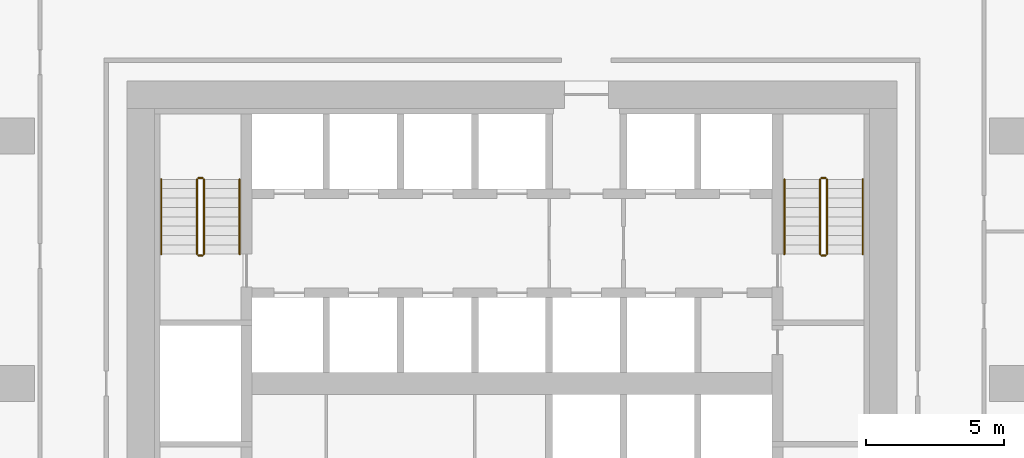
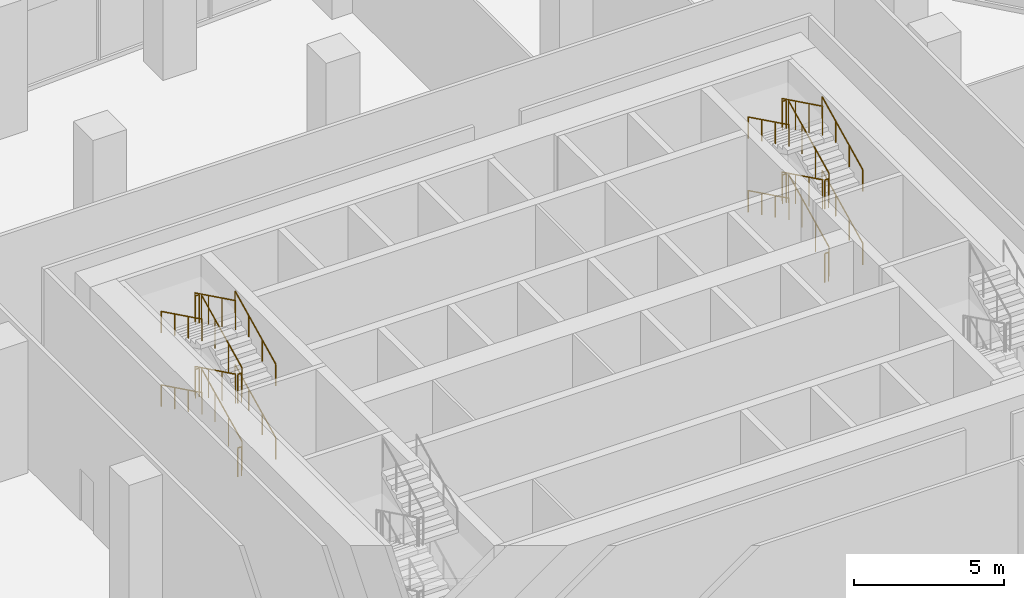
# One storey, part 17 of 18: 24 railings.
"""IFC4 building model written with IfcOpenShell, lengths in metres."""

from ifc_helpers import new_model, si_unit, direction, frame, origin, origin_2d, place, context, subcontext, project, spatial, circle, extrude, material, type_object, element, save


model = new_model("IFC4")

# Units and contexts
model_context = context("Model", 3, precision=1e-05, world=origin(), true_north=direction((0.0, 1.0)))
body_context = subcontext(model_context, "Body", "Model", "MODEL_VIEW")
ifc_project = project(units=[si_unit("LENGTHUNIT", "METRE"), si_unit("AREAUNIT", "SQUARE_METRE"), si_unit("VOLUMEUNIT", "CUBIC_METRE"), si_unit("PLANEANGLEUNIT", "RADIAN"), si_unit("MASSUNIT", "GRAM", prefix="KILO")], contexts=[model_context])

# Site, building, storey
site_placement = place(None, origin())
site = spatial("IfcSite", under=ifc_project, at=site_placement, CompositionType="ELEMENT")
building_placement = place(site_placement, origin())
building = spatial("IfcBuilding", under=site, at=building_placement, Name="Dongbaek Canopy Tower", CompositionType="ELEMENT")
storey_placement = place(building_placement, frame((0.0, 0.0, 139.60009765625)))
storey = spatial("IfcBuildingStorey", under=building, at=storey_placement, Name="L31", CompositionType="ELEMENT", Elevation=139.60009765625)

# Railings
ifc_material_1 = material(Name="Stainless steel tube and balusters", Category="steel")
railing_type_1 = type_object("IfcRailingType", Name="Stair guard 1200", PredefinedType="GUARDRAIL", material=ifc_material_1)
railing_1_placement = place(storey_placement, frame((11.449951171875, 4.699951171875, 0.16650390625)))
element("IfcRailing", 1, at=railing_1_placement, inside=storey, type_object=railing_type_1, Name="L31 ST-A stair guard 1", PredefinedType="GUARDRAIL", context=body_context, shape_type="SweptSolid", body=[
    extrude(circle(Radius=0.02392578125, at=origin_2d()), frame((0.0, 0.0, 1.17578125), z_axis=(0.0, 0.89789761255, 0.440204358653), x_axis=(-1.0, 0.0, 0.0)), (0.0, 0.0, 1.0), 3.029296875),
    extrude(circle(Radius=0.02099609375, at=origin_2d()), origin(), (0.0, 0.0, 1.0), 1.15185546875),
    extrude(circle(Radius=0.02099609375, at=origin_2d()), frame((0.0, 0.90673828125, 0.444580078125)), (0.0, 0.0, 1.0), 1.15185546875),
    extrude(circle(Radius=0.02099609375, at=origin_2d()), frame((0.0, 1.813232421875, 0.888916015625)), (0.0, 0.0, 1.0), 1.15185546875),
    extrude(circle(Radius=0.02099609375, at=origin_2d()), frame((0.0, 2.719970703125, 1.33349609375)), (0.0, 0.0, 1.0), 1.15185546875),
])
railing_2_placement = place(storey_placement, frame((11.39990234375, 7.469970703125, 1.5)))
element("IfcRailing", 2, at=railing_2_placement, inside=storey, type_object=railing_type_1, Name="L31 ST-A stair guard 2", PredefinedType="GUARDRAIL", context=body_context, shape_type="SweptSolid", body=[
    extrude(circle(Radius=0.02392578125, at=origin_2d()), frame((0.0, 0.0, 1.17578125), z_axis=(-1.0, 0.0, 0.0), x_axis=(0.0, -1.0, 0.0)), (0.0, 0.0, 1.0), 0.14990234375),
    extrude(circle(Radius=0.02099609375, at=origin_2d()), origin(), (0.0, 0.0, 1.0), 1.15185546875),
    extrude(circle(Radius=0.02099609375, at=origin_2d()), frame((-0.14990234375, 0.0, 0.0)), (0.0, 0.0, 1.0), 1.15185546875),
])
railing_3_placement = place(storey_placement, frame((11.199951171875, 7.419921875, 1.66650390625)))
element("IfcRailing", 3, at=railing_3_placement, inside=storey, type_object=railing_type_1, Name="L31 ST-A stair guard 3", PredefinedType="GUARDRAIL", context=body_context, shape_type="SweptSolid", body=[
    extrude(circle(Radius=0.02392578125, at=origin_2d()), frame((0.0, 0.0, 1.17578125), z_axis=(0.0, -0.89789761255, 0.440204358653), x_axis=(1.0, 0.0, 0.0)), (0.0, 0.0, 1.0), 3.029296875),
    extrude(circle(Radius=0.02099609375, at=origin_2d()), origin(), (0.0, 0.0, 1.0), 1.15185546875),
    extrude(circle(Radius=0.02099609375, at=origin_2d()), frame((0.0, -0.90673828125, 0.444580078125)), (0.0, 0.0, 1.0), 1.15185546875),
    extrude(circle(Radius=0.02099609375, at=origin_2d()), frame((0.0, -1.813232421875, 0.888916015625)), (0.0, 0.0, 1.0), 1.15185546875),
    extrude(circle(Radius=0.02099609375, at=origin_2d()), frame((0.0, -2.719970703125, 1.33349609375)), (0.0, 0.0, 1.0), 1.15185546875),
])
railing_4_placement = place(storey_placement, frame((11.39990234375, 4.64990234375, 3.0)))
element("IfcRailing", 4, at=railing_4_placement, inside=storey, type_object=railing_type_1, Name="L31 ST-A stair guard 4", PredefinedType="GUARDRAIL", context=body_context, shape_type="SweptSolid", body=[
    extrude(circle(Radius=0.02392578125, at=origin_2d()), frame((0.0, 0.0, 1.17578125), z_axis=(-1.0, 0.0, 0.0), x_axis=(0.0, -1.0, 0.0)), (0.0, 0.0, 1.0), 0.14990234375),
    extrude(circle(Radius=0.02099609375, at=origin_2d()), origin(), (0.0, 0.0, 1.0), 1.15185546875),
    extrude(circle(Radius=0.02099609375, at=origin_2d()), frame((-0.14990234375, 0.0, 0.0)), (0.0, 0.0, 1.0), 1.15185546875),
])
railing_5_placement = place(storey_placement, frame((11.449951171875, 4.699951171875, 3.16650390625)))
element("IfcRailing", 5, at=railing_5_placement, inside=storey, type_object=railing_type_1, Name="L31 ST-A stair guard 5", PredefinedType="GUARDRAIL", context=body_context, shape_type="SweptSolid", body=[
    extrude(circle(Radius=0.02392578125, at=origin_2d()), frame((0.0, 0.0, 1.17578125), z_axis=(0.0, 0.89789761255, 0.440204358653), x_axis=(-1.0, 0.0, 0.0)), (0.0, 0.0, 1.0), 3.029296875),
    extrude(circle(Radius=0.02099609375, at=origin_2d()), origin(), (0.0, 0.0, 1.0), 1.15185546875),
    extrude(circle(Radius=0.02099609375, at=origin_2d()), frame((0.0, 0.90673828125, 0.444580078125)), (0.0, 0.0, 1.0), 1.15185546875),
    extrude(circle(Radius=0.02099609375, at=origin_2d()), frame((0.0, 1.813232421875, 0.888916015625)), (0.0, 0.0, 1.0), 1.15185546875),
    extrude(circle(Radius=0.02099609375, at=origin_2d()), frame((0.0, 2.719970703125, 1.33349609375)), (0.0, 0.0, 1.0), 1.15185546875),
])
railing_6_placement = place(storey_placement, frame((11.39990234375, 7.469970703125, 4.5)))
element("IfcRailing", 6, at=railing_6_placement, inside=storey, type_object=railing_type_1, Name="L31 ST-A stair guard 6", PredefinedType="GUARDRAIL", context=body_context, shape_type="SweptSolid", body=[
    extrude(circle(Radius=0.02392578125, at=origin_2d()), frame((0.0, 0.0, 1.17578125), z_axis=(-1.0, 0.0, 0.0), x_axis=(0.0, -1.0, 0.0)), (0.0, 0.0, 1.0), 0.14990234375),
    extrude(circle(Radius=0.02099609375, at=origin_2d()), origin(), (0.0, 0.0, 1.0), 1.15185546875),
    extrude(circle(Radius=0.02099609375, at=origin_2d()), frame((-0.14990234375, 0.0, 0.0)), (0.0, 0.0, 1.0), 1.15185546875),
])
railing_7_placement = place(storey_placement, frame((11.199951171875, 7.419921875, 4.66650390625)))
element("IfcRailing", 7, at=railing_7_placement, inside=storey, type_object=railing_type_1, Name="L31 ST-A stair guard 7", PredefinedType="GUARDRAIL", context=body_context, shape_type="SweptSolid", body=[
    extrude(circle(Radius=0.02392578125, at=origin_2d()), frame((0.0, 0.0, 1.17578125), z_axis=(0.0, -0.89789761255, 0.440204358653), x_axis=(1.0, 0.0, 0.0)), (0.0, 0.0, 1.0), 3.029296875),
    extrude(circle(Radius=0.02099609375, at=origin_2d()), origin(), (0.0, 0.0, 1.0), 1.15185546875),
    extrude(circle(Radius=0.02099609375, at=origin_2d()), frame((0.0, -0.90673828125, 0.444580078125)), (0.0, 0.0, 1.0), 1.15185546875),
    extrude(circle(Radius=0.02099609375, at=origin_2d()), frame((0.0, -1.813232421875, 0.888916015625)), (0.0, 0.0, 1.0), 1.15185546875),
    extrude(circle(Radius=0.02099609375, at=origin_2d()), frame((0.0, -2.719970703125, 1.33349609375)), (0.0, 0.0, 1.0), 1.15185546875),
])
railing_8_placement = place(storey_placement, frame((11.39990234375, 4.64990234375, 0.0)))
element("IfcRailing", 8, at=railing_8_placement, inside=storey, type_object=railing_type_1, Name="L31 ST-A stair guard 8", PredefinedType="GUARDRAIL", context=body_context, shape_type="SweptSolid", body=[
    extrude(circle(Radius=0.02392578125, at=origin_2d()), frame((0.0, 0.0, 1.17578125), z_axis=(-1.0, 0.0, 0.0), x_axis=(0.0, -1.0, 0.0)), (0.0, 0.0, 1.0), 0.14990234375),
    extrude(circle(Radius=0.02099609375, at=origin_2d()), origin(), (0.0, 0.0, 1.0), 1.15185546875),
    extrude(circle(Radius=0.02099609375, at=origin_2d()), frame((-0.14990234375, 0.0, 0.0)), (0.0, 0.0, 1.0), 1.15185546875),
])
railing_9_placement = place(storey_placement, frame((-11.199951171875, 4.699951171875, 0.16650390625)))
element("IfcRailing", 9, at=railing_9_placement, inside=storey, type_object=railing_type_1, Name="L31 ST-C stair guard 1", PredefinedType="GUARDRAIL", context=body_context, shape_type="SweptSolid", body=[
    extrude(circle(Radius=0.02392578125, at=origin_2d()), frame((0.0, 0.0, 1.17578125), z_axis=(0.0, 0.89789761255, 0.440204358653), x_axis=(-1.0, 0.0, 0.0)), (0.0, 0.0, 1.0), 3.029296875),
    extrude(circle(Radius=0.02099609375, at=origin_2d()), origin(), (0.0, 0.0, 1.0), 1.15185546875),
    extrude(circle(Radius=0.02099609375, at=origin_2d()), frame((0.0, 0.90673828125, 0.444580078125)), (0.0, 0.0, 1.0), 1.15185546875),
    extrude(circle(Radius=0.02099609375, at=origin_2d()), frame((0.0, 1.813232421875, 0.888916015625)), (0.0, 0.0, 1.0), 1.15185546875),
    extrude(circle(Radius=0.02099609375, at=origin_2d()), frame((0.0, 2.719970703125, 1.33349609375)), (0.0, 0.0, 1.0), 1.15185546875),
])
railing_10_placement = place(storey_placement, frame((-11.25, 7.469970703125, 1.5)))
element("IfcRailing", 10, at=railing_10_placement, inside=storey, type_object=railing_type_1, Name="L31 ST-C stair guard 2", PredefinedType="GUARDRAIL", context=body_context, shape_type="SweptSolid", body=[
    extrude(circle(Radius=0.02392578125, at=origin_2d()), frame((0.0, 0.0, 1.17578125), z_axis=(-1.0, 0.0, 0.0), x_axis=(0.0, -1.0, 0.0)), (0.0, 0.0, 1.0), 0.14990234375),
    extrude(circle(Radius=0.02099609375, at=origin_2d()), origin(), (0.0, 0.0, 1.0), 1.15185546875),
    extrude(circle(Radius=0.02099609375, at=origin_2d()), frame((-0.14990234375, 0.0, 0.0)), (0.0, 0.0, 1.0), 1.15185546875),
])
railing_11_placement = place(storey_placement, frame((-11.449951171875, 7.419921875, 1.66650390625)))
element("IfcRailing", 11, at=railing_11_placement, inside=storey, type_object=railing_type_1, Name="L31 ST-C stair guard 3", PredefinedType="GUARDRAIL", context=body_context, shape_type="SweptSolid", body=[
    extrude(circle(Radius=0.02392578125, at=origin_2d()), frame((0.0, 0.0, 1.17578125), z_axis=(0.0, -0.89789761255, 0.440204358653), x_axis=(1.0, 0.0, 0.0)), (0.0, 0.0, 1.0), 3.029296875),
    extrude(circle(Radius=0.02099609375, at=origin_2d()), origin(), (0.0, 0.0, 1.0), 1.15185546875),
    extrude(circle(Radius=0.02099609375, at=origin_2d()), frame((0.0, -0.90673828125, 0.444580078125)), (0.0, 0.0, 1.0), 1.15185546875),
    extrude(circle(Radius=0.02099609375, at=origin_2d()), frame((0.0, -1.813232421875, 0.888916015625)), (0.0, 0.0, 1.0), 1.15185546875),
    extrude(circle(Radius=0.02099609375, at=origin_2d()), frame((0.0, -2.719970703125, 1.33349609375)), (0.0, 0.0, 1.0), 1.15185546875),
])
railing_12_placement = place(storey_placement, frame((-11.25, 4.64990234375, 3.0)))
element("IfcRailing", 12, at=railing_12_placement, inside=storey, type_object=railing_type_1, Name="L31 ST-C stair guard 4", PredefinedType="GUARDRAIL", context=body_context, shape_type="SweptSolid", body=[
    extrude(circle(Radius=0.02392578125, at=origin_2d()), frame((0.0, 0.0, 1.17578125), z_axis=(-1.0, 0.0, 0.0), x_axis=(0.0, -1.0, 0.0)), (0.0, 0.0, 1.0), 0.14990234375),
    extrude(circle(Radius=0.02099609375, at=origin_2d()), origin(), (0.0, 0.0, 1.0), 1.15185546875),
    extrude(circle(Radius=0.02099609375, at=origin_2d()), frame((-0.14990234375, 0.0, 0.0)), (0.0, 0.0, 1.0), 1.15185546875),
])
railing_13_placement = place(storey_placement, frame((-11.199951171875, 4.699951171875, 3.16650390625)))
element("IfcRailing", 13, at=railing_13_placement, inside=storey, type_object=railing_type_1, Name="L31 ST-C stair guard 5", PredefinedType="GUARDRAIL", context=body_context, shape_type="SweptSolid", body=[
    extrude(circle(Radius=0.02392578125, at=origin_2d()), frame((0.0, 0.0, 1.17578125), z_axis=(0.0, 0.89789761255, 0.440204358653), x_axis=(-1.0, 0.0, 0.0)), (0.0, 0.0, 1.0), 3.029296875),
    extrude(circle(Radius=0.02099609375, at=origin_2d()), origin(), (0.0, 0.0, 1.0), 1.15185546875),
    extrude(circle(Radius=0.02099609375, at=origin_2d()), frame((0.0, 0.90673828125, 0.444580078125)), (0.0, 0.0, 1.0), 1.15185546875),
    extrude(circle(Radius=0.02099609375, at=origin_2d()), frame((0.0, 1.813232421875, 0.888916015625)), (0.0, 0.0, 1.0), 1.15185546875),
    extrude(circle(Radius=0.02099609375, at=origin_2d()), frame((0.0, 2.719970703125, 1.33349609375)), (0.0, 0.0, 1.0), 1.15185546875),
])
railing_14_placement = place(storey_placement, frame((-11.25, 7.469970703125, 4.5)))
element("IfcRailing", 14, at=railing_14_placement, inside=storey, type_object=railing_type_1, Name="L31 ST-C stair guard 6", PredefinedType="GUARDRAIL", context=body_context, shape_type="SweptSolid", body=[
    extrude(circle(Radius=0.02392578125, at=origin_2d()), frame((0.0, 0.0, 1.17578125), z_axis=(-1.0, 0.0, 0.0), x_axis=(0.0, -1.0, 0.0)), (0.0, 0.0, 1.0), 0.14990234375),
    extrude(circle(Radius=0.02099609375, at=origin_2d()), origin(), (0.0, 0.0, 1.0), 1.15185546875),
    extrude(circle(Radius=0.02099609375, at=origin_2d()), frame((-0.14990234375, 0.0, 0.0)), (0.0, 0.0, 1.0), 1.15185546875),
])
railing_15_placement = place(storey_placement, frame((-11.449951171875, 7.419921875, 4.66650390625)))
element("IfcRailing", 15, at=railing_15_placement, inside=storey, type_object=railing_type_1, Name="L31 ST-C stair guard 7", PredefinedType="GUARDRAIL", context=body_context, shape_type="SweptSolid", body=[
    extrude(circle(Radius=0.02392578125, at=origin_2d()), frame((0.0, 0.0, 1.17578125), z_axis=(0.0, -0.89789761255, 0.440204358653), x_axis=(1.0, 0.0, 0.0)), (0.0, 0.0, 1.0), 3.029296875),
    extrude(circle(Radius=0.02099609375, at=origin_2d()), origin(), (0.0, 0.0, 1.0), 1.15185546875),
    extrude(circle(Radius=0.02099609375, at=origin_2d()), frame((0.0, -0.90673828125, 0.444580078125)), (0.0, 0.0, 1.0), 1.15185546875),
    extrude(circle(Radius=0.02099609375, at=origin_2d()), frame((0.0, -1.813232421875, 0.888916015625)), (0.0, 0.0, 1.0), 1.15185546875),
    extrude(circle(Radius=0.02099609375, at=origin_2d()), frame((0.0, -2.719970703125, 1.33349609375)), (0.0, 0.0, 1.0), 1.15185546875),
])
railing_16_placement = place(storey_placement, frame((-11.25, 4.64990234375, 0.0)))
element("IfcRailing", 16, at=railing_16_placement, inside=storey, type_object=railing_type_1, Name="L31 ST-C stair guard 8", PredefinedType="GUARDRAIL", context=body_context, shape_type="SweptSolid", body=[
    extrude(circle(Radius=0.02392578125, at=origin_2d()), frame((0.0, 0.0, 1.17578125), z_axis=(-1.0, 0.0, 0.0), x_axis=(0.0, -1.0, 0.0)), (0.0, 0.0, 1.0), 0.14990234375),
    extrude(circle(Radius=0.02099609375, at=origin_2d()), origin(), (0.0, 0.0, 1.0), 1.15185546875),
    extrude(circle(Radius=0.02099609375, at=origin_2d()), frame((-0.14990234375, 0.0, 0.0)), (0.0, 0.0, 1.0), 1.15185546875),
])
ifc_material_2 = material(Name="Stainless steel tube", Category="steel")
railing_type_2 = type_object("IfcRailingType", Name="Stair handrail 900", PredefinedType="HANDRAIL", material=ifc_material_2)
railing_17_placement = place(storey_placement, frame((12.75, 4.699951171875, 0.16650390625)))
element("IfcRailing", 17, at=railing_17_placement, inside=storey, type_object=railing_type_2, Name="L31 ST-A stair handrail 1", PredefinedType="HANDRAIL", context=body_context, shape_type="SweptSolid", body=[
    extrude(circle(Radius=0.02392578125, at=origin_2d()), frame((0.0, 0.0, 0.8759765625), z_axis=(0.0, 0.89789761255, 0.440204358653), x_axis=(-1.0, 0.0, 0.0)), (0.0, 0.0, 1.0), 3.029296875),
    extrude(circle(Radius=0.02099609375, at=origin_2d()), origin(), (0.0, 0.0, 1.0), 0.851806640625),
    extrude(circle(Radius=0.02099609375, at=origin_2d()), frame((0.0, 0.90673828125, 0.444580078125)), (0.0, 0.0, 1.0), 0.851806640625),
    extrude(circle(Radius=0.02099609375, at=origin_2d()), frame((0.0, 1.813232421875, 0.888916015625)), (0.0, 0.0, 1.0), 0.851806640625),
    extrude(circle(Radius=0.02099609375, at=origin_2d()), frame((0.0, 2.719970703125, 1.33349609375)), (0.0, 0.0, 1.0), 0.851806640625),
])
railing_18_placement = place(storey_placement, frame((9.89990234375, 7.419921875, 1.66650390625)))
element("IfcRailing", 18, at=railing_18_placement, inside=storey, type_object=railing_type_2, Name="L31 ST-A stair handrail 2", PredefinedType="HANDRAIL", context=body_context, shape_type="SweptSolid", body=[
    extrude(circle(Radius=0.02392578125, at=origin_2d()), frame((0.0, 0.0, 0.8759765625), z_axis=(0.0, -0.89789761255, 0.440204358653), x_axis=(1.0, 0.0, 0.0)), (0.0, 0.0, 1.0), 3.029296875),
    extrude(circle(Radius=0.02099609375, at=origin_2d()), origin(), (0.0, 0.0, 1.0), 0.851806640625),
    extrude(circle(Radius=0.02099609375, at=origin_2d()), frame((0.0, -0.90673828125, 0.444580078125)), (0.0, 0.0, 1.0), 0.851806640625),
    extrude(circle(Radius=0.02099609375, at=origin_2d()), frame((0.0, -1.813232421875, 0.888916015625)), (0.0, 0.0, 1.0), 0.851806640625),
    extrude(circle(Radius=0.02099609375, at=origin_2d()), frame((0.0, -2.719970703125, 1.33349609375)), (0.0, 0.0, 1.0), 0.851806640625),
])
railing_19_placement = place(storey_placement, frame((12.75, 4.699951171875, 3.16650390625)))
element("IfcRailing", 19, at=railing_19_placement, inside=storey, type_object=railing_type_2, Name="L31 ST-A stair handrail 3", PredefinedType="HANDRAIL", context=body_context, shape_type="SweptSolid", body=[
    extrude(circle(Radius=0.02392578125, at=origin_2d()), frame((0.0, 0.0, 0.8759765625), z_axis=(0.0, 0.89789761255, 0.440204358653), x_axis=(-1.0, 0.0, 0.0)), (0.0, 0.0, 1.0), 3.029296875),
    extrude(circle(Radius=0.02099609375, at=origin_2d()), origin(), (0.0, 0.0, 1.0), 0.851806640625),
    extrude(circle(Radius=0.02099609375, at=origin_2d()), frame((0.0, 0.90673828125, 0.444580078125)), (0.0, 0.0, 1.0), 0.851806640625),
    extrude(circle(Radius=0.02099609375, at=origin_2d()), frame((0.0, 1.813232421875, 0.888916015625)), (0.0, 0.0, 1.0), 0.851806640625),
    extrude(circle(Radius=0.02099609375, at=origin_2d()), frame((0.0, 2.719970703125, 1.33349609375)), (0.0, 0.0, 1.0), 0.851806640625),
])
railing_20_placement = place(storey_placement, frame((9.89990234375, 7.419921875, 4.66650390625)))
element("IfcRailing", 20, at=railing_20_placement, inside=storey, type_object=railing_type_2, Name="L31 ST-A stair handrail 4", PredefinedType="HANDRAIL", context=body_context, shape_type="SweptSolid", body=[
    extrude(circle(Radius=0.02392578125, at=origin_2d()), frame((0.0, 0.0, 0.8759765625), z_axis=(0.0, -0.89789761255, 0.440204358653), x_axis=(1.0, 0.0, 0.0)), (0.0, 0.0, 1.0), 3.029296875),
    extrude(circle(Radius=0.02099609375, at=origin_2d()), origin(), (0.0, 0.0, 1.0), 0.851806640625),
    extrude(circle(Radius=0.02099609375, at=origin_2d()), frame((0.0, -0.90673828125, 0.444580078125)), (0.0, 0.0, 1.0), 0.851806640625),
    extrude(circle(Radius=0.02099609375, at=origin_2d()), frame((0.0, -1.813232421875, 0.888916015625)), (0.0, 0.0, 1.0), 0.851806640625),
    extrude(circle(Radius=0.02099609375, at=origin_2d()), frame((0.0, -2.719970703125, 1.33349609375)), (0.0, 0.0, 1.0), 0.851806640625),
])
railing_21_placement = place(storey_placement, frame((-9.89990234375, 4.699951171875, 0.16650390625)))
element("IfcRailing", 21, at=railing_21_placement, inside=storey, type_object=railing_type_2, Name="L31 ST-C stair handrail 1", PredefinedType="HANDRAIL", context=body_context, shape_type="SweptSolid", body=[
    extrude(circle(Radius=0.02392578125, at=origin_2d()), frame((0.0, 0.0, 0.8759765625), z_axis=(0.0, 0.89789761255, 0.440204358653), x_axis=(-1.0, 0.0, 0.0)), (0.0, 0.0, 1.0), 3.029296875),
    extrude(circle(Radius=0.02099609375, at=origin_2d()), origin(), (0.0, 0.0, 1.0), 0.851806640625),
    extrude(circle(Radius=0.02099609375, at=origin_2d()), frame((0.0, 0.90673828125, 0.444580078125)), (0.0, 0.0, 1.0), 0.851806640625),
    extrude(circle(Radius=0.02099609375, at=origin_2d()), frame((0.0, 1.813232421875, 0.888916015625)), (0.0, 0.0, 1.0), 0.851806640625),
    extrude(circle(Radius=0.02099609375, at=origin_2d()), frame((0.0, 2.719970703125, 1.33349609375)), (0.0, 0.0, 1.0), 0.851806640625),
])
railing_22_placement = place(storey_placement, frame((-12.75, 7.419921875, 1.66650390625)))
element("IfcRailing", 22, at=railing_22_placement, inside=storey, type_object=railing_type_2, Name="L31 ST-C stair handrail 2", PredefinedType="HANDRAIL", context=body_context, shape_type="SweptSolid", body=[
    extrude(circle(Radius=0.02392578125, at=origin_2d()), frame((0.0, 0.0, 0.8759765625), z_axis=(0.0, -0.89789761255, 0.440204358653), x_axis=(1.0, 0.0, 0.0)), (0.0, 0.0, 1.0), 3.029296875),
    extrude(circle(Radius=0.02099609375, at=origin_2d()), origin(), (0.0, 0.0, 1.0), 0.851806640625),
    extrude(circle(Radius=0.02099609375, at=origin_2d()), frame((0.0, -0.90673828125, 0.444580078125)), (0.0, 0.0, 1.0), 0.851806640625),
    extrude(circle(Radius=0.02099609375, at=origin_2d()), frame((0.0, -1.813232421875, 0.888916015625)), (0.0, 0.0, 1.0), 0.851806640625),
    extrude(circle(Radius=0.02099609375, at=origin_2d()), frame((0.0, -2.719970703125, 1.33349609375)), (0.0, 0.0, 1.0), 0.851806640625),
])
railing_23_placement = place(storey_placement, frame((-9.89990234375, 4.699951171875, 3.16650390625)))
element("IfcRailing", 23, at=railing_23_placement, inside=storey, type_object=railing_type_2, Name="L31 ST-C stair handrail 3", PredefinedType="HANDRAIL", context=body_context, shape_type="SweptSolid", body=[
    extrude(circle(Radius=0.02392578125, at=origin_2d()), frame((0.0, 0.0, 0.8759765625), z_axis=(0.0, 0.89789761255, 0.440204358653), x_axis=(-1.0, 0.0, 0.0)), (0.0, 0.0, 1.0), 3.029296875),
    extrude(circle(Radius=0.02099609375, at=origin_2d()), origin(), (0.0, 0.0, 1.0), 0.851806640625),
    extrude(circle(Radius=0.02099609375, at=origin_2d()), frame((0.0, 0.90673828125, 0.444580078125)), (0.0, 0.0, 1.0), 0.851806640625),
    extrude(circle(Radius=0.02099609375, at=origin_2d()), frame((0.0, 1.813232421875, 0.888916015625)), (0.0, 0.0, 1.0), 0.851806640625),
    extrude(circle(Radius=0.02099609375, at=origin_2d()), frame((0.0, 2.719970703125, 1.33349609375)), (0.0, 0.0, 1.0), 0.851806640625),
])
railing_24_placement = place(storey_placement, frame((-12.75, 7.419921875, 4.66650390625)))
element("IfcRailing", 24, at=railing_24_placement, inside=storey, type_object=railing_type_2, Name="L31 ST-C stair handrail 4", PredefinedType="HANDRAIL", context=body_context, shape_type="SweptSolid", body=[
    extrude(circle(Radius=0.02392578125, at=origin_2d()), frame((0.0, 0.0, 0.8759765625), z_axis=(0.0, -0.89789761255, 0.440204358653), x_axis=(1.0, 0.0, 0.0)), (0.0, 0.0, 1.0), 3.029296875),
    extrude(circle(Radius=0.02099609375, at=origin_2d()), origin(), (0.0, 0.0, 1.0), 0.851806640625),
    extrude(circle(Radius=0.02099609375, at=origin_2d()), frame((0.0, -0.90673828125, 0.444580078125)), (0.0, 0.0, 1.0), 0.851806640625),
    extrude(circle(Radius=0.02099609375, at=origin_2d()), frame((0.0, -1.813232421875, 0.888916015625)), (0.0, 0.0, 1.0), 0.851806640625),
    extrude(circle(Radius=0.02099609375, at=origin_2d()), frame((0.0, -2.719970703125, 1.33349609375)), (0.0, 0.0, 1.0), 0.851806640625),
])

save(model, "model.ifc")
